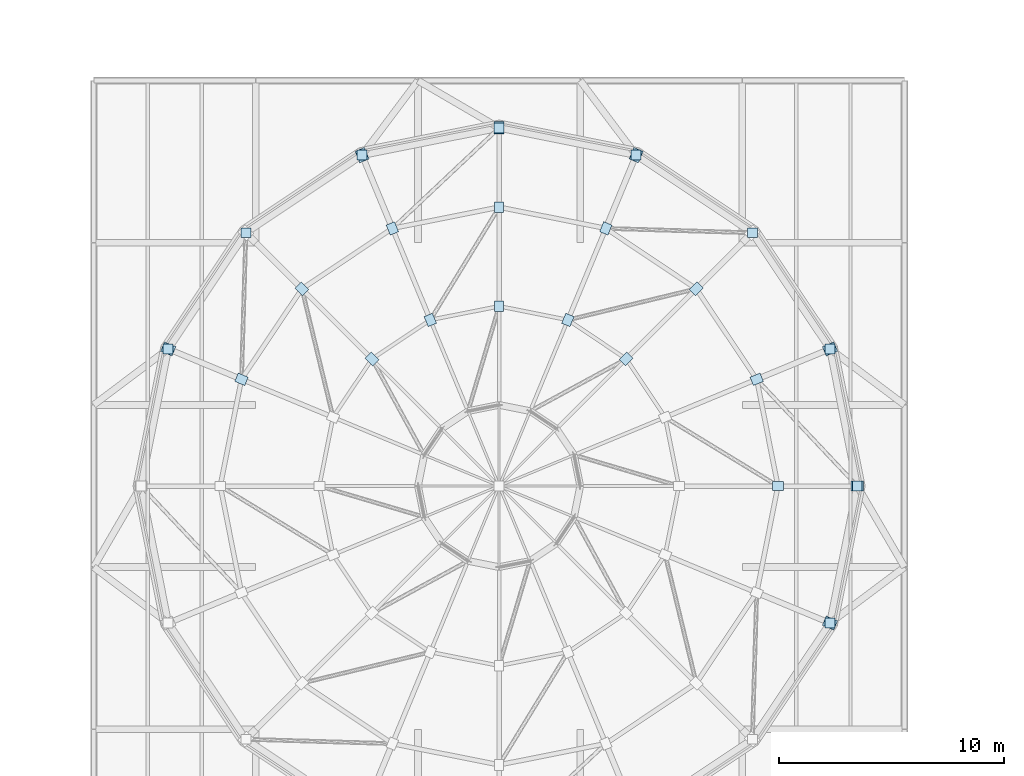
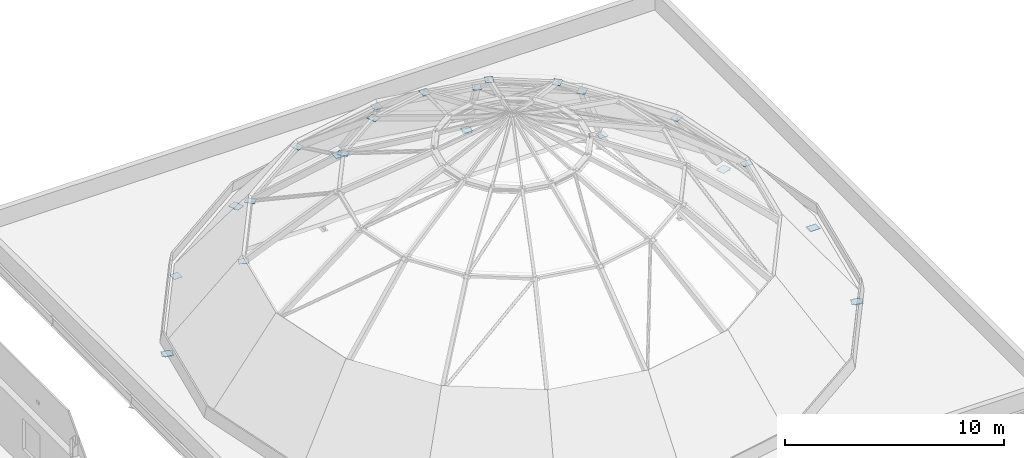
# One storey, part 38 of 66: 29 plates.
"""IFC4 building model written with IfcOpenShell, lengths in metres."""

from ifc_helpers import new_model, si_unit, direction, frame, origin, origin_2d, place, context, subcontext, project, spatial, rectangle, extrude, material, layer, layer_set, type_object, element, save


model = new_model("IFC4")

# Units and contexts
model_context = context("Model", 3, precision=1e-05, world=origin(), true_north=direction((0.0, 1.0)))
body_context = subcontext(model_context, "Body", "Model", "MODEL_VIEW")
ifc_project = project(units=[si_unit("LENGTHUNIT", "METRE"), si_unit("AREAUNIT", "SQUARE_METRE"), si_unit("VOLUMEUNIT", "CUBIC_METRE"), si_unit("PLANEANGLEUNIT", "RADIAN"), si_unit("MASSUNIT", "GRAM", prefix="KILO")], contexts=[model_context])

# Site, building, storey
site_placement = place(None, origin())
site = spatial("IfcSite", under=ifc_project, at=site_placement, CompositionType="ELEMENT")
building_placement = place(site_placement, origin())
building = spatial("IfcBuilding", under=site, at=building_placement, Name="Narikvali Park Central Library", CompositionType="ELEMENT")
storey_placement = place(building_placement, frame((0.0, 0.0, 18.60009765625)))
storey = spatial("IfcBuildingStorey", under=building, at=storey_placement, Name="L04", CompositionType="ELEMENT", Elevation=18.60009765625)

# Plates
ifc_material = material(Name="Steel S355", Category="steel")
ifc_layer_1 = layer(ifc_material, 0.02001953125, Name="Steel S355")
ifc_layer_set_1 = layer_set([ifc_layer_1], Name="Steel S355")
plate_type_1 = type_object("IfcPlateType", Name="Dome Ring Node Gusset Plate 20", PredefinedType="SHEET", material=ifc_layer_set_1)
for number, where, z_axis, x_axis, name in (
    (1, (98.699951171875, 75.60009765625, -0.66015625), (0.0, 0.0, 1.0), (1.0, 0.0, 0.0), "Dome Ring Node Plate ND-01"),
    (2, (97.48974609375, 81.684814453125, -0.66015625), (0.0, 0.0, 1.0), (0.923879532511, 0.382683432365, 0.0), "Dome Ring Node Plate ND-02"),
    (3, (88.884765625, 90.289794921875, -0.66015625), (0.0, 0.0, 1.0), (0.382683432365, 0.923879532511, 0.0), "Dome Ring Node Plate ND-04"),
    (4, (82.800048828125, 91.5, -0.66015625), (0.0, 0.0, 1.0), (0.0, 1.0, 0.0), "Dome Ring Node Plate ND-05"),
    (5, (76.71533203125, 90.289794921875, -0.66015625), (0.0, 0.0, 1.0), (-0.382683432365, 0.923879532511, 0.0), "Dome Ring Node Plate ND-06"),
    (6, (68.1103515625, 81.684814453125, -0.66015625), (0.0, 0.0, 1.0), (-0.923879532511, 0.382683432365, 0.0), "Dome Ring Node Plate ND-08"),
    (7, (97.48974609375, 69.515380859375, -0.66015625), (0.0, 0.0, 1.0), (0.923879532511, -0.382683432365, 0.0), "Dome Ring Node Plate ND-16"),
):
    element("IfcPlate", number, at=place(storey_placement, frame(where, z_axis=z_axis, x_axis=x_axis)), inside=storey, type_object=plate_type_1, Name=name, PredefinedType="SHEET", context=body_context, shape_type="SweptSolid", body=[
        extrude(rectangle(XDim=0.550048828125, YDim=0.449951171875, at=origin_2d()), origin(), (0.0, 0.0, 1.0), 0.02001953125),
    ])
for number, where, z_axis, x_axis, name in (
    (8, (95.179931640625, 75.60009765625, 4.169921875), (0.0, 0.0, 1.0), (1.0, 0.0, 0.0), "Dome Hoop Node Gusset Plate T1-01"),
    (9, (94.237548828125, 80.337646484375, 4.169921875), (0.0, 0.0, 1.0), (0.923879532511, 0.382683432365, 0.0), "Dome Hoop Node Gusset Plate T1-02"),
    (10, (91.553955078125, 84.35400390625, 4.169921875), (0.0, 0.0, 1.0), (0.707106781187, 0.707106781187, 0.0), "Dome Hoop Node Gusset Plate T1-03"),
    (11, (87.53759765625, 87.03759765625, 4.169921875), (0.0, 0.0, 1.0), (0.382683432365, 0.923879532511, 0.0), "Dome Hoop Node Gusset Plate T1-04"),
    (12, (82.800048828125, 87.97998046875, 4.169921875), (0.0, 0.0, 1.0), (0.0, 1.0, 0.0), "Dome Hoop Node Gusset Plate T1-05"),
    (13, (78.0625, 87.03759765625, 4.169921875), (0.0, 0.0, 1.0), (-0.382683432365, 0.923879532511, 0.0), "Dome Hoop Node Gusset Plate T1-06"),
    (14, (74.0458984375, 84.35400390625, 4.169921875), (0.0, 0.0, 1.0), (-0.707106781187, 0.707106781187, 0.0), "Dome Hoop Node Gusset Plate T1-07"),
    (15, (71.3623046875, 80.337646484375, 4.169921875), (0.0, 0.0, 1.0), (-0.923879532511, 0.382683432365, 0.0), "Dome Hoop Node Gusset Plate T1-08"),
    (16, (88.442626953125, 81.24267578125, 7.6298828125), (0.0, 0.0, 1.0), (0.707106781187, 0.707106781187, 0.0), "Dome Hoop Node Gusset Plate T2-03"),
    (17, (85.853759765625, 82.97265625, 7.6298828125), (0.0, 0.0, 1.0), (0.382683432365, 0.923879532511, 0.0), "Dome Hoop Node Gusset Plate T2-04"),
    (18, (82.800048828125, 83.580078125, 7.6298828125), (0.0, 0.0, 1.0), (0.0, 1.0, 0.0), "Dome Hoop Node Gusset Plate T2-05"),
    (19, (79.74609375, 82.97265625, 7.6298828125), (0.0, 0.0, 1.0), (-0.382683432365, 0.923879532511, 0.0), "Dome Hoop Node Gusset Plate T2-06"),
    (20, (77.1572265625, 81.24267578125, 7.6298828125), (0.0, 0.0, 1.0), (-0.707106781187, 0.707106781187, 0.0), "Dome Hoop Node Gusset Plate T2-07"),
):
    element("IfcPlate", number, at=place(storey_placement, frame(where, z_axis=z_axis, x_axis=x_axis)), inside=storey, type_object=plate_type_1, Name=name, PredefinedType="SHEET", context=body_context, shape_type="SweptSolid", body=[
        extrude(rectangle(XDim=0.47998046875, YDim=0.39990234375, at=origin_2d()), origin(), (0.0, 0.0, 1.0), 0.02001953125),
    ])
ifc_layer_2 = layer(ifc_material, 0.013916015625, Name="Steel S355")
ifc_layer_set_2 = layer_set([ifc_layer_2], Name="Steel S355")
plate_type_2 = type_object("IfcPlateType", Name="Steel Hollow End Cap Plate 14", PredefinedType="SHEET", material=ifc_layer_set_2)
for number, where, z_axis, x_axis, name in (
    (21, (98.702392578125, 75.60009765625, -0.66015625), (0.0, 0.0, 1.0), (1.0, 0.0, 0.0), "Hollow Section Steel End Cap DOME-RCAP-B-01"),
    (22, (97.491943359375, 81.685546875, -0.66015625), (0.0, 0.0, 1.0), (1.0, 0.0, 0.0), "Hollow Section Steel End Cap DOME-RCAP-B-02"),
    (23, (94.044677734375, 86.8447265625, -0.66015625), (0.0, 0.0, 1.0), (1.0, 0.0, 0.0), "Hollow Section Steel End Cap DOME-RCAP-B-03"),
    (24, (88.885498046875, 90.2919921875, -0.66015625), (0.0, 0.0, 1.0), (1.0, 0.0, 0.0), "Hollow Section Steel End Cap DOME-RCAP-B-04"),
    (25, (82.800048828125, 91.50244140625, -0.66015625), (0.0, 0.0, 1.0), (1.0, 0.0, 0.0), "Hollow Section Steel End Cap DOME-RCAP-B-05"),
    (26, (76.71435546875, 90.2919921875, -0.66015625), (0.0, 0.0, 1.0), (1.0, 0.0, 0.0), "Hollow Section Steel End Cap DOME-RCAP-B-06"),
    (27, (71.555419921875, 86.8447265625, -0.66015625), (0.0, 0.0, 1.0), (1.0, 0.0, 0.0), "Hollow Section Steel End Cap DOME-RCAP-B-07"),
    (28, (68.108154296875, 81.685546875, -0.66015625), (0.0, 0.0, 1.0), (1.0, 0.0, 0.0), "Hollow Section Steel End Cap DOME-RCAP-B-08"),
    (29, (97.491943359375, 69.514404296875, -0.66015625), (0.0, 0.0, 1.0), (1.0, 0.0, 0.0), "Hollow Section Steel End Cap DOME-RCAP-B-16"),
):
    element("IfcPlate", number, at=place(storey_placement, frame(where, z_axis=z_axis, x_axis=x_axis)), inside=storey, type_object=plate_type_2, Name=name, PredefinedType="SHEET", context=body_context, shape_type="SweptSolid", body=[
        extrude(rectangle(XDim=0.43994140625, YDim=0.43994140625, at=origin_2d()), origin(), (0.0, 0.0, 1.0), 0.013916015625),
    ])

save(model, "model.ifc")
